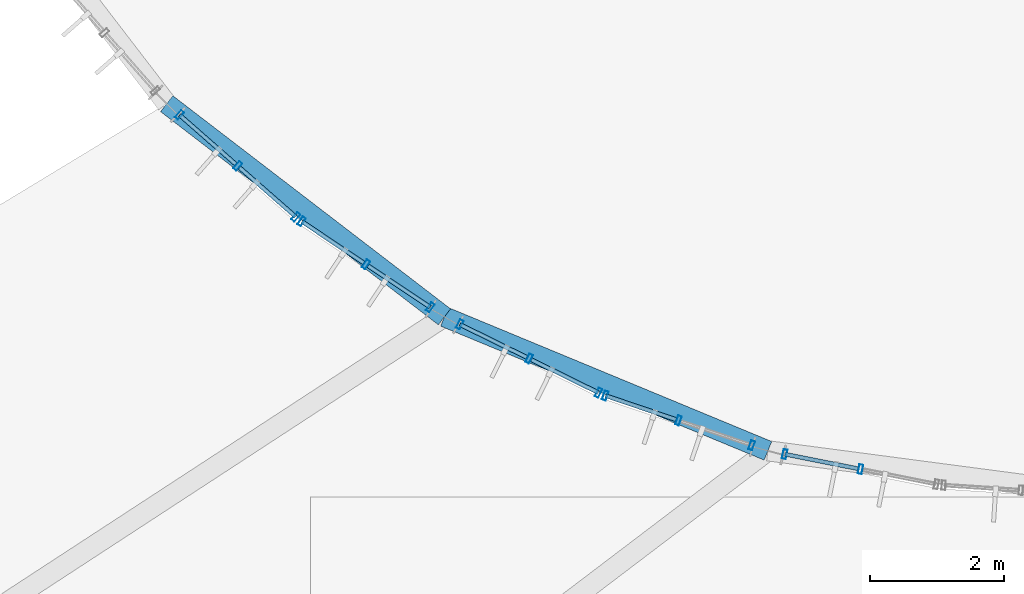
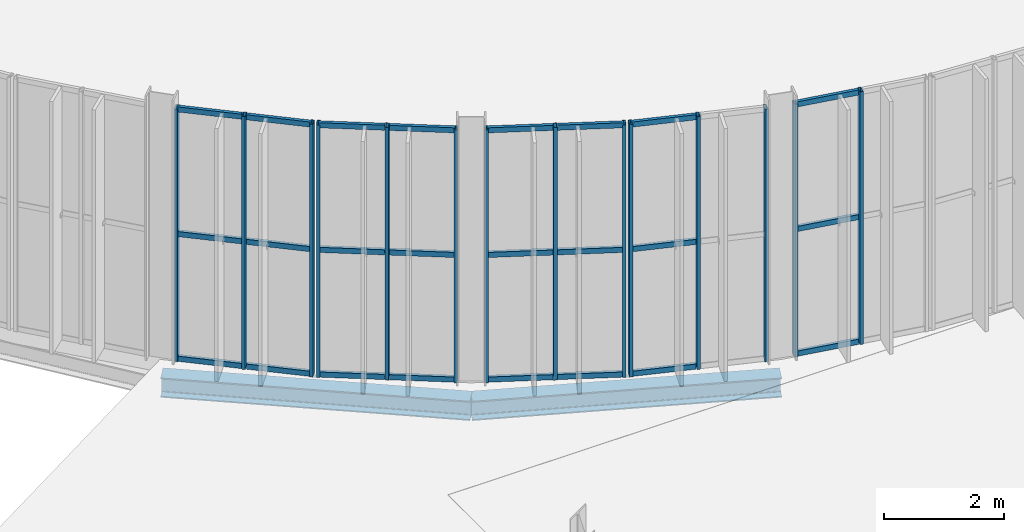
# One storey, part 32 of 158: 38 members, 2 beams, 5 elements without a shape of their own.
"""IFC4 building model written with IfcOpenShell, lengths in metres."""

from ifc_helpers import new_model, si_unit, derived_unit, direction, frame, origin, origin_2d, place, context, subcontext, project, spatial, hollow_rectangle, i_section, extrude, material, material_profile, profile_set, type_object, element, aggregate, save


model = new_model("IFC4")

# Units and contexts
model_context = context("Model", 3, precision=1e-05, world=origin(), true_north=direction((0.0, 1.0)))
body_context = subcontext(model_context, "Body", "Model", "MODEL_VIEW")
ifc_project = project(units=[si_unit("LENGTHUNIT", "METRE"), si_unit("AREAUNIT", "SQUARE_METRE"), si_unit("VOLUMEUNIT", "CUBIC_METRE"), si_unit("PLANEANGLEUNIT", "RADIAN"), si_unit("MASSUNIT", "GRAM", prefix="KILO"), si_unit("THERMODYNAMICTEMPERATUREUNIT", "KELVIN"), si_unit("TIMEUNIT", "SECOND"), derived_unit("THERMALTRANSMITTANCEUNIT", [(si_unit("MASSUNIT", "GRAM", prefix="KILO"), 1), (si_unit("THERMODYNAMICTEMPERATUREUNIT", "KELVIN"), -1), (si_unit("TIMEUNIT", "SECOND"), -3)])], contexts=[model_context])

# Site, building, storey
site_placement = place(None, origin())
site = spatial("IfcSite", under=ifc_project, at=site_placement, CompositionType="ELEMENT")
building_placement = place(site_placement, origin())
building = spatial("IfcBuilding", under=site, at=building_placement, Name="Cambertide Market Hall", CompositionType="ELEMENT")
storey_placement = place(building_placement, origin())
storey = spatial("IfcBuildingStorey", under=building, at=storey_placement, Name="L01", CompositionType="ELEMENT", Elevation=0.0)

# Curtain wall, members
ifc_material_1 = material(Name="Marine Anodized Aluminium 6063-T6 AA25", Category="aluminium")
curtain_wall_type = type_object("IfcCurtainWallType", Name="Lantern Apse Chord Lower Curtain Wall", PredefinedType="USERDEFINED", material=ifc_material_1)
curtain_wall_1_placement = place(storey_placement, origin())
curtain_wall_1 = element("IfcCurtainWall", 1, at=curtain_wall_1_placement, inside=storey, type_object=curtain_wall_type, Name="Level 1 Curtain Wall CW-V1AW-L01-19", ObjectType="UNITIZED CURTAIN WALL", PredefinedType="USERDEFINED")
ifc_material_2 = material(Name="Champagne Marine Anodized Aluminium 6063-T6 AA25", Category="aluminium")
ifc_material_profile_1 = material_profile(ifc_material_2, hollow_rectangle(XDim=0.06005859375, YDim=0.139892578125, WallThickness=0.00341796875, at=origin_2d()), Name="ALU MULLION 60x140")
ifc_profile_set_1 = profile_set([ifc_material_profile_1], Name="Champagne Marine Anodized Aluminium 6063-T6 AA25")
member_type_1 = type_object("IfcMemberType", Name="Curtain Wall Mullion ALU MULLION 60x140", PredefinedType="MULLION", material=ifc_profile_set_1)
member_1_placement = place(storey_placement, frame((29.783447265625, 56.169189453125, 0.0), z_axis=(0.0, 0.0, 1.0), x_axis=(-0.751839834741, 0.659345784014, 0.0)))
member_1 = element("IfcMember", 2, at=member_1_placement, type_object=member_type_1, Name="CW-V1AW-L01-19 Mullion 1", PredefinedType="MULLION", context=body_context, shape_type="SweptSolid", body=[
    extrude(hollow_rectangle(XDim=0.06005859375, YDim=0.139892578125, WallThickness=0.00341796875, at=origin_2d()), origin(), (0.0, 0.0, 1.0), 5.159912109375),
])
member_2_placement = place(storey_placement, frame((28.91650390625, 56.929443359375, 0.0), z_axis=(0.0, 0.0, 1.0), x_axis=(-0.751839834741, 0.659345784014, 0.0)))
member_2 = element("IfcMember", 3, at=member_2_placement, type_object=member_type_1, Name="CW-V1AW-L01-19 Mullion 2", PredefinedType="MULLION", context=body_context, shape_type="SweptSolid", body=[
    extrude(hollow_rectangle(XDim=0.06005859375, YDim=0.139892578125, WallThickness=0.00341796875, at=origin_2d()), origin(), (0.0, 0.0, 1.0), 5.159912109375),
])
member_3_placement = place(storey_placement, frame((28.049560546875, 57.689697265625, 0.0), z_axis=(0.0, 0.0, 1.0), x_axis=(-0.751839834741, 0.659345784014, 0.0)))
member_3 = element("IfcMember", 4, at=member_3_placement, type_object=member_type_1, Name="CW-V1AW-L01-19 Mullion 3", PredefinedType="MULLION", context=body_context, shape_type="SweptSolid", body=[
    extrude(hollow_rectangle(XDim=0.06005859375, YDim=0.139892578125, WallThickness=0.00341796875, at=origin_2d()), origin(), (0.0, 0.0, 1.0), 5.159912109375),
])

curtain_wall_2_placement = place(storey_placement, origin())
curtain_wall_2 = element("IfcCurtainWall", 5, at=curtain_wall_2_placement, inside=storey, type_object=curtain_wall_type, Name="Level 1 Curtain Wall CW-V1AW-L01-20", ObjectType="UNITIZED CURTAIN WALL", PredefinedType="USERDEFINED")
member_4_placement = place(storey_placement, frame((31.7880859375, 54.821044921875, 0.0), z_axis=(0.0, 0.0, 1.0), x_axis=(-0.831469709481, 0.555570087582, 0.0)))
member_4 = element("IfcMember", 6, at=member_4_placement, type_object=member_type_1, Name="CW-V1AW-L01-20 Mullion 1", PredefinedType="MULLION", context=body_context, shape_type="SweptSolid", body=[
    extrude(hollow_rectangle(XDim=0.06005859375, YDim=0.139892578125, WallThickness=0.00341796875, at=origin_2d()), origin(), (0.0, 0.0, 1.0), 5.159912109375),
])
member_5_placement = place(storey_placement, frame((30.829345703125, 55.461669921875, 0.0), z_axis=(0.0, 0.0, 1.0), x_axis=(-0.831469709481, 0.555570087582, 0.0)))
member_5 = element("IfcMember", 7, at=member_5_placement, type_object=member_type_1, Name="CW-V1AW-L01-20 Mullion 2", PredefinedType="MULLION", context=body_context, shape_type="SweptSolid", body=[
    extrude(hollow_rectangle(XDim=0.06005859375, YDim=0.139892578125, WallThickness=0.00341796875, at=origin_2d()), origin(), (0.0, 0.0, 1.0), 5.159912109375),
])
member_6_placement = place(storey_placement, frame((29.87060546875, 56.102294921875, 0.0), z_axis=(0.0, 0.0, 1.0), x_axis=(-0.831469709481, 0.555570087582, 0.0)))
member_6 = element("IfcMember", 8, at=member_6_placement, type_object=member_type_1, Name="CW-V1AW-L01-20 Mullion 3", PredefinedType="MULLION", context=body_context, shape_type="SweptSolid", body=[
    extrude(hollow_rectangle(XDim=0.06005859375, YDim=0.139892578125, WallThickness=0.00341796875, at=origin_2d()), origin(), (0.0, 0.0, 1.0), 5.159912109375),
])

curtain_wall_3_placement = place(storey_placement, origin())
curtain_wall_3 = element("IfcCurtainWall", 9, at=curtain_wall_3_placement, inside=storey, type_object=curtain_wall_type, Name="Level 1 Curtain Wall CW-V1AW-L01-21", ObjectType="UNITIZED CURTAIN WALL", PredefinedType="USERDEFINED")
member_7_placement = place(storey_placement, frame((34.297119140625, 53.546630859375, 0.0), z_axis=(0.0, 0.0, 1.0), x_axis=(-0.896872650645, 0.442288874522, 0.0)))
member_7 = element("IfcMember", 10, at=member_7_placement, type_object=member_type_1, Name="CW-V1AW-L01-21 Mullion 1", PredefinedType="MULLION", context=body_context, shape_type="SweptSolid", body=[
    extrude(hollow_rectangle(XDim=0.06005859375, YDim=0.139892578125, WallThickness=0.00341796875, at=origin_2d()), origin(), (0.0, 0.0, 1.0), 5.159912109375),
])
member_8_placement = place(storey_placement, frame((33.262939453125, 54.056640625, 0.0), z_axis=(0.0, 0.0, 1.0), x_axis=(-0.896872650645, 0.442288874522, 0.0)))
member_8 = element("IfcMember", 11, at=member_8_placement, type_object=member_type_1, Name="CW-V1AW-L01-21 Mullion 2", PredefinedType="MULLION", context=body_context, shape_type="SweptSolid", body=[
    extrude(hollow_rectangle(XDim=0.06005859375, YDim=0.139892578125, WallThickness=0.00341796875, at=origin_2d()), origin(), (0.0, 0.0, 1.0), 5.159912109375),
])
member_9_placement = place(storey_placement, frame((32.228759765625, 54.566650390625, 0.0), z_axis=(0.0, 0.0, 1.0), x_axis=(-0.896872650645, 0.442288874522, 0.0)))
member_9 = element("IfcMember", 12, at=member_9_placement, type_object=member_type_1, Name="CW-V1AW-L01-21 Mullion 3", PredefinedType="MULLION", context=body_context, shape_type="SweptSolid", body=[
    extrude(hollow_rectangle(XDim=0.06005859375, YDim=0.139892578125, WallThickness=0.00341796875, at=origin_2d()), origin(), (0.0, 0.0, 1.0), 5.159912109375),
])

curtain_wall_4_placement = place(storey_placement, origin())
curtain_wall_4 = element("IfcCurtainWall", 13, at=curtain_wall_4_placement, inside=storey, type_object=curtain_wall_type, Name="Level 1 Curtain Wall CW-V1AW-L01-22", ObjectType="UNITIZED CURTAIN WALL", PredefinedType="USERDEFINED")
member_10_placement = place(storey_placement, frame((36.58203125, 52.763427734375, 0.0), z_axis=(0.0, 0.0, 1.0), x_axis=(-0.94693012508, 0.32143947831, 0.0)))
member_10 = element("IfcMember", 14, at=member_10_placement, type_object=member_type_1, Name="CW-V1AW-L01-22 Mullion 1", PredefinedType="MULLION", context=body_context, shape_type="SweptSolid", body=[
    extrude(hollow_rectangle(XDim=0.06005859375, YDim=0.139892578125, WallThickness=0.00341796875, at=origin_2d()), origin(), (0.0, 0.0, 1.0), 5.159912109375),
])
member_11_placement = place(storey_placement, frame((35.490234375, 53.134033203125, 0.0), z_axis=(0.0, 0.0, 1.0), x_axis=(-0.94693012508, 0.32143947831, 0.0)))
member_11 = element("IfcMember", 15, at=member_11_placement, type_object=member_type_1, Name="CW-V1AW-L01-22 Mullion 2", PredefinedType="MULLION", context=body_context, shape_type="SweptSolid", body=[
    extrude(hollow_rectangle(XDim=0.06005859375, YDim=0.139892578125, WallThickness=0.00341796875, at=origin_2d()), origin(), (0.0, 0.0, 1.0), 5.159912109375),
])
member_12_placement = place(storey_placement, frame((34.3984375, 53.504638671875, 0.0), z_axis=(0.0, 0.0, 1.0), x_axis=(-0.94693012508, 0.32143947831, 0.0)))
member_12 = element("IfcMember", 16, at=member_12_placement, type_object=member_type_1, Name="CW-V1AW-L01-22 Mullion 3", PredefinedType="MULLION", context=body_context, shape_type="SweptSolid", body=[
    extrude(hollow_rectangle(XDim=0.06005859375, YDim=0.139892578125, WallThickness=0.00341796875, at=origin_2d()), origin(), (0.0, 0.0, 1.0), 5.159912109375),
])

curtain_wall_5_placement = place(storey_placement, origin())
curtain_wall_5 = element("IfcCurtainWall", 17, at=curtain_wall_5_placement, inside=storey, type_object=curtain_wall_type, Name="Level 1 Curtain Wall CW-V1AW-L01-23", ObjectType="UNITIZED CURTAIN WALL", PredefinedType="USERDEFINED")
member_13_placement = place(storey_placement, frame((38.20458984375, 52.40673828125, 0.0), z_axis=(0.0, 0.0, 1.0), x_axis=(-0.980785330885, 0.195090068226, 0.0)))
member_13 = element("IfcMember", 18, at=member_13_placement, type_object=member_type_1, Name="CW-V1AW-L01-23 Mullion 2", PredefinedType="MULLION", context=body_context, shape_type="SweptSolid", body=[
    extrude(hollow_rectangle(XDim=0.06005859375, YDim=0.139892578125, WallThickness=0.00341796875, at=origin_2d()), origin(), (0.0, 0.0, 1.0), 5.159912109375),
])
member_14_placement = place(storey_placement, frame((37.07373046875, 52.6318359375, 0.0), z_axis=(0.0, 0.0, 1.0), x_axis=(-0.980785330885, 0.195090068226, 0.0)))
member_14 = element("IfcMember", 19, at=member_14_placement, type_object=member_type_1, Name="CW-V1AW-L01-23 Mullion 3", PredefinedType="MULLION", context=body_context, shape_type="SweptSolid", body=[
    extrude(hollow_rectangle(XDim=0.06005859375, YDim=0.139892578125, WallThickness=0.00341796875, at=origin_2d()), origin(), (0.0, 0.0, 1.0), 5.159912109375),
])

# Member
ifc_material_3 = material(Name="Champagne Marine Anodized Aluminium 6063-T6 AA25", Category="aluminium")
ifc_material_profile_2 = material_profile(ifc_material_3, hollow_rectangle(XDim=0.06005859375, YDim=0.10498046875, WallThickness=0.0029296875, at=origin_2d()), Name="ALU TRANSOM 60x105")
ifc_profile_set_2 = profile_set([ifc_material_profile_2], Name="Champagne Marine Anodized Aluminium 6063-T6 AA25")
member_type_2 = type_object("IfcMemberType", Name="Curtain Wall Transom ALU TRANSOM 60x105", PredefinedType="USERDEFINED", material=ifc_profile_set_2)
member_15_placement = place(storey_placement, frame((29.779541015625, 56.172607421875, 0.034912109375), z_axis=(-0.751866427049, 0.659315460062, 0.0), x_axis=(-0.659315460062, -0.751866427049, 0.0)))
member_15 = element("IfcMember", 20, at=member_15_placement, type_object=member_type_2, Name="CW-V1AW-L01-19 Transom 1-1", ObjectType="TRANSOM", PredefinedType="USERDEFINED", context=body_context, shape_type="SweptSolid", body=[
    extrude(hollow_rectangle(XDim=0.06005859375, YDim=0.10498046875, WallThickness=0.0029296875, at=origin_2d()), origin(), (0.0, 0.0, 1.0), 1.10791015625),
])

member_16_placement = place(storey_placement, frame((28.886474609375, 56.955810546875, 0.034912109375), z_axis=(-0.751852984677, 0.659330789082, 0.0), x_axis=(-0.659330789082, -0.751852984677, 0.0)))
member_16 = element("IfcMember", 21, at=member_16_placement, type_object=member_type_2, Name="CW-V1AW-L01-19 Transom 1-2", ObjectType="TRANSOM", PredefinedType="USERDEFINED", context=body_context, shape_type="SweptSolid", body=[
    extrude(hollow_rectangle(XDim=0.06005859375, YDim=0.10498046875, WallThickness=0.0029296875, at=origin_2d()), origin(), (0.0, 0.0, 1.0), 1.108154296875),
])

member_17_placement = place(storey_placement, frame((29.779541015625, 56.172607421875, 2.580078125), z_axis=(-0.751866427049, 0.659315460062, 0.0), x_axis=(-0.659315460062, -0.751866427049, 0.0)))
member_17 = element("IfcMember", 22, at=member_17_placement, type_object=member_type_2, Name="CW-V1AW-L01-19 Transom 2-1", ObjectType="TRANSOM", PredefinedType="USERDEFINED", context=body_context, shape_type="SweptSolid", body=[
    extrude(hollow_rectangle(XDim=0.06005859375, YDim=0.10498046875, WallThickness=0.0029296875, at=origin_2d()), origin(), (0.0, 0.0, 1.0), 1.10791015625),
])

member_18_placement = place(storey_placement, frame((28.886474609375, 56.955810546875, 2.580078125), z_axis=(-0.751852984677, 0.659330789082, 0.0), x_axis=(-0.659330789082, -0.751852984677, 0.0)))
member_18 = element("IfcMember", 23, at=member_18_placement, type_object=member_type_2, Name="CW-V1AW-L01-19 Transom 2-2", ObjectType="TRANSOM", PredefinedType="USERDEFINED", context=body_context, shape_type="SweptSolid", body=[
    extrude(hollow_rectangle(XDim=0.06005859375, YDim=0.10498046875, WallThickness=0.0029296875, at=origin_2d()), origin(), (0.0, 0.0, 1.0), 1.108154296875),
])

member_19_placement = place(storey_placement, frame((29.779541015625, 56.172607421875, 5.125), z_axis=(-0.751866427049, 0.659315460062, 0.0), x_axis=(-0.659315460062, -0.751866427049, 0.0)))
member_19 = element("IfcMember", 24, at=member_19_placement, type_object=member_type_2, Name="CW-V1AW-L01-19 Transom 3-1", ObjectType="TRANSOM", PredefinedType="USERDEFINED", context=body_context, shape_type="SweptSolid", body=[
    extrude(hollow_rectangle(XDim=0.06005859375, YDim=0.10498046875, WallThickness=0.0029296875, at=origin_2d()), origin(), (0.0, 0.0, 1.0), 1.10791015625),
])

member_20_placement = place(storey_placement, frame((28.886474609375, 56.955810546875, 5.125), z_axis=(-0.751852984677, 0.659330789082, 0.0), x_axis=(-0.659330789082, -0.751852984677, 0.0)))
member_20 = element("IfcMember", 25, at=member_20_placement, type_object=member_type_2, Name="CW-V1AW-L01-19 Transom 3-2", ObjectType="TRANSOM", PredefinedType="USERDEFINED", context=body_context, shape_type="SweptSolid", body=[
    extrude(hollow_rectangle(XDim=0.06005859375, YDim=0.10498046875, WallThickness=0.0029296875, at=origin_2d()), origin(), (0.0, 0.0, 1.0), 1.108154296875),
])

aggregate(curtain_wall_1, [member_1, member_2, member_3, member_15, member_16, member_17, member_18, member_19, member_20])

member_21_placement = place(storey_placement, frame((31.783935546875, 54.823974609375, 0.034912109375), z_axis=(-0.83154148111, 0.555462658685, 0.0), x_axis=(-0.555462658685, -0.83154148111, 0.0)))
member_21 = element("IfcMember", 26, at=member_21_placement, type_object=member_type_2, Name="CW-V1AW-L01-20 Transom 1-1", ObjectType="TRANSOM", PredefinedType="USERDEFINED", context=body_context, shape_type="SweptSolid", body=[
    extrude(hollow_rectangle(XDim=0.06005859375, YDim=0.10498046875, WallThickness=0.0029296875, at=origin_2d()), origin(), (0.0, 0.0, 1.0), 1.108154296875),
])

member_22_placement = place(storey_placement, frame((30.7958984375, 55.48388671875, 0.034912109375), z_axis=(-0.831371680054, 0.55571677103, 0.0), x_axis=(-0.55571677103, -0.831371680054, 0.0)))
member_22 = element("IfcMember", 27, at=member_22_placement, type_object=member_type_2, Name="CW-V1AW-L01-20 Transom 1-2", ObjectType="TRANSOM", PredefinedType="USERDEFINED", context=body_context, shape_type="SweptSolid", body=[
    extrude(hollow_rectangle(XDim=0.06005859375, YDim=0.10498046875, WallThickness=0.0029296875, at=origin_2d()), origin(), (0.0, 0.0, 1.0), 1.10791015625),
])

member_23_placement = place(storey_placement, frame((31.783935546875, 54.823974609375, 2.580078125), z_axis=(-0.83154148111, 0.555462658685, 0.0), x_axis=(-0.555462658685, -0.83154148111, 0.0)))
member_23 = element("IfcMember", 28, at=member_23_placement, type_object=member_type_2, Name="CW-V1AW-L01-20 Transom 2-1", ObjectType="TRANSOM", PredefinedType="USERDEFINED", context=body_context, shape_type="SweptSolid", body=[
    extrude(hollow_rectangle(XDim=0.06005859375, YDim=0.10498046875, WallThickness=0.0029296875, at=origin_2d()), origin(), (0.0, 0.0, 1.0), 1.108154296875),
])

member_24_placement = place(storey_placement, frame((30.7958984375, 55.48388671875, 2.580078125), z_axis=(-0.831371680054, 0.55571677103, 0.0), x_axis=(-0.55571677103, -0.831371680054, 0.0)))
member_24 = element("IfcMember", 29, at=member_24_placement, type_object=member_type_2, Name="CW-V1AW-L01-20 Transom 2-2", ObjectType="TRANSOM", PredefinedType="USERDEFINED", context=body_context, shape_type="SweptSolid", body=[
    extrude(hollow_rectangle(XDim=0.06005859375, YDim=0.10498046875, WallThickness=0.0029296875, at=origin_2d()), origin(), (0.0, 0.0, 1.0), 1.10791015625),
])

member_25_placement = place(storey_placement, frame((31.783935546875, 54.823974609375, 5.125), z_axis=(-0.83154148111, 0.555462658685, 0.0), x_axis=(-0.555462658685, -0.83154148111, 0.0)))
member_25 = element("IfcMember", 30, at=member_25_placement, type_object=member_type_2, Name="CW-V1AW-L01-20 Transom 3-1", ObjectType="TRANSOM", PredefinedType="USERDEFINED", context=body_context, shape_type="SweptSolid", body=[
    extrude(hollow_rectangle(XDim=0.06005859375, YDim=0.10498046875, WallThickness=0.0029296875, at=origin_2d()), origin(), (0.0, 0.0, 1.0), 1.108154296875),
])

member_26_placement = place(storey_placement, frame((30.7958984375, 55.48388671875, 5.125), z_axis=(-0.831371680054, 0.55571677103, 0.0), x_axis=(-0.55571677103, -0.831371680054, 0.0)))
member_26 = element("IfcMember", 31, at=member_26_placement, type_object=member_type_2, Name="CW-V1AW-L01-20 Transom 3-2", ObjectType="TRANSOM", PredefinedType="USERDEFINED", context=body_context, shape_type="SweptSolid", body=[
    extrude(hollow_rectangle(XDim=0.06005859375, YDim=0.10498046875, WallThickness=0.0029296875, at=origin_2d()), origin(), (0.0, 0.0, 1.0), 1.10791015625),
])

aggregate(curtain_wall_2, [member_4, member_5, member_6, member_21, member_22, member_23, member_24, member_25, member_26])

member_27_placement = place(storey_placement, frame((34.29248046875, 53.548828125, 0.034912109375), z_axis=(-0.896794227794, 0.44244786472, 0.0), x_axis=(-0.44244786472, -0.896794227794, 0.0)))
member_27 = element("IfcMember", 32, at=member_27_placement, type_object=member_type_2, Name="CW-V1AW-L01-21 Transom 1-1", ObjectType="TRANSOM", PredefinedType="USERDEFINED", context=body_context, shape_type="SweptSolid", body=[
    extrude(hollow_rectangle(XDim=0.06005859375, YDim=0.10498046875, WallThickness=0.0029296875, at=origin_2d()), origin(), (0.0, 0.0, 1.0), 1.10791015625),
])

member_28_placement = place(storey_placement, frame((33.22705078125, 54.074462890625, 0.034912109375), z_axis=(-0.896924738521, 0.442183235129, 0.0), x_axis=(-0.442183235129, -0.896924738521, 0.0)))
member_28 = element("IfcMember", 33, at=member_28_placement, type_object=member_type_2, Name="CW-V1AW-L01-21 Transom 1-2", ObjectType="TRANSOM", PredefinedType="USERDEFINED", context=body_context, shape_type="SweptSolid", body=[
    extrude(hollow_rectangle(XDim=0.06005859375, YDim=0.10498046875, WallThickness=0.0029296875, at=origin_2d()), origin(), (0.0, 0.0, 1.0), 1.108154296875),
])

member_29_placement = place(storey_placement, frame((34.29248046875, 53.548828125, 2.580078125), z_axis=(-0.896794227794, 0.44244786472, 0.0), x_axis=(-0.44244786472, -0.896794227794, 0.0)))
member_29 = element("IfcMember", 34, at=member_29_placement, type_object=member_type_2, Name="CW-V1AW-L01-21 Transom 2-1", ObjectType="TRANSOM", PredefinedType="USERDEFINED", context=body_context, shape_type="SweptSolid", body=[
    extrude(hollow_rectangle(XDim=0.06005859375, YDim=0.10498046875, WallThickness=0.0029296875, at=origin_2d()), origin(), (0.0, 0.0, 1.0), 1.10791015625),
])

member_30_placement = place(storey_placement, frame((33.22705078125, 54.074462890625, 2.580078125), z_axis=(-0.896924738521, 0.442183235129, 0.0), x_axis=(-0.442183235129, -0.896924738521, 0.0)))
member_30 = element("IfcMember", 35, at=member_30_placement, type_object=member_type_2, Name="CW-V1AW-L01-21 Transom 2-2", ObjectType="TRANSOM", PredefinedType="USERDEFINED", context=body_context, shape_type="SweptSolid", body=[
    extrude(hollow_rectangle(XDim=0.06005859375, YDim=0.10498046875, WallThickness=0.0029296875, at=origin_2d()), origin(), (0.0, 0.0, 1.0), 1.108154296875),
])

member_31_placement = place(storey_placement, frame((34.29248046875, 53.548828125, 5.125), z_axis=(-0.896794227794, 0.44244786472, 0.0), x_axis=(-0.44244786472, -0.896794227794, 0.0)))
member_31 = element("IfcMember", 36, at=member_31_placement, type_object=member_type_2, Name="CW-V1AW-L01-21 Transom 3-1", ObjectType="TRANSOM", PredefinedType="USERDEFINED", context=body_context, shape_type="SweptSolid", body=[
    extrude(hollow_rectangle(XDim=0.06005859375, YDim=0.10498046875, WallThickness=0.0029296875, at=origin_2d()), origin(), (0.0, 0.0, 1.0), 1.10791015625),
])

member_32_placement = place(storey_placement, frame((33.22705078125, 54.074462890625, 5.125), z_axis=(-0.896924738521, 0.442183235129, 0.0), x_axis=(-0.442183235129, -0.896924738521, 0.0)))
member_32 = element("IfcMember", 37, at=member_32_placement, type_object=member_type_2, Name="CW-V1AW-L01-21 Transom 3-2", ObjectType="TRANSOM", PredefinedType="USERDEFINED", context=body_context, shape_type="SweptSolid", body=[
    extrude(hollow_rectangle(XDim=0.06005859375, YDim=0.10498046875, WallThickness=0.0029296875, at=origin_2d()), origin(), (0.0, 0.0, 1.0), 1.108154296875),
])

aggregate(curtain_wall_3, [member_7, member_8, member_9, member_27, member_28, member_29, member_30, member_31, member_32])

member_33_placement = place(storey_placement, frame((35.452392578125, 53.14697265625, 0.034912109375), z_axis=(-0.946928413037, 0.321444521782, 0.0), x_axis=(-0.321444521782, -0.946928413037, 0.0)))
member_33 = element("IfcMember", 38, at=member_33_placement, type_object=member_type_2, Name="CW-V1AW-L01-22 Transom 1-2", ObjectType="TRANSOM", PredefinedType="USERDEFINED", context=body_context, shape_type="SweptSolid", body=[
    extrude(hollow_rectangle(XDim=0.06005859375, YDim=0.10498046875, WallThickness=0.0029296875, at=origin_2d()), origin(), (0.0, 0.0, 1.0), 1.108154296875),
])

member_34_placement = place(storey_placement, frame((35.452392578125, 53.14697265625, 2.580078125), z_axis=(-0.946928413037, 0.321444521782, 0.0), x_axis=(-0.321444521782, -0.946928413037, 0.0)))
member_34 = element("IfcMember", 39, at=member_34_placement, type_object=member_type_2, Name="CW-V1AW-L01-22 Transom 2-2", ObjectType="TRANSOM", PredefinedType="USERDEFINED", context=body_context, shape_type="SweptSolid", body=[
    extrude(hollow_rectangle(XDim=0.06005859375, YDim=0.10498046875, WallThickness=0.0029296875, at=origin_2d()), origin(), (0.0, 0.0, 1.0), 1.108154296875),
])

member_35_placement = place(storey_placement, frame((35.452392578125, 53.14697265625, 5.125), z_axis=(-0.946928413037, 0.321444521782, 0.0), x_axis=(-0.321444521782, -0.946928413037, 0.0)))
member_35 = element("IfcMember", 40, at=member_35_placement, type_object=member_type_2, Name="CW-V1AW-L01-22 Transom 3-2", ObjectType="TRANSOM", PredefinedType="USERDEFINED", context=body_context, shape_type="SweptSolid", body=[
    extrude(hollow_rectangle(XDim=0.06005859375, YDim=0.10498046875, WallThickness=0.0029296875, at=origin_2d()), origin(), (0.0, 0.0, 1.0), 1.108154296875),
])

aggregate(curtain_wall_4, [member_10, member_11, member_12, member_33, member_34, member_35])

member_36_placement = place(storey_placement, frame((38.165283203125, 52.41455078125, 0.034912109375), z_axis=(-0.980758243369, 0.195226197175, 0.0), x_axis=(-0.195226197175, -0.980758243369, 0.0)))
member_36 = element("IfcMember", 41, at=member_36_placement, type_object=member_type_2, Name="CW-V1AW-L01-23 Transom 1-2", ObjectType="TRANSOM", PredefinedType="USERDEFINED", context=body_context, shape_type="SweptSolid", body=[
    extrude(hollow_rectangle(XDim=0.06005859375, YDim=0.10498046875, WallThickness=0.0029296875, at=origin_2d()), origin(), (0.0, 0.0, 1.0), 1.10791015625),
])

member_37_placement = place(storey_placement, frame((38.165283203125, 52.41455078125, 2.580078125), z_axis=(-0.980758243369, 0.195226197175, 0.0), x_axis=(-0.195226197175, -0.980758243369, 0.0)))
member_37 = element("IfcMember", 42, at=member_37_placement, type_object=member_type_2, Name="CW-V1AW-L01-23 Transom 2-2", ObjectType="TRANSOM", PredefinedType="USERDEFINED", context=body_context, shape_type="SweptSolid", body=[
    extrude(hollow_rectangle(XDim=0.06005859375, YDim=0.10498046875, WallThickness=0.0029296875, at=origin_2d()), origin(), (0.0, 0.0, 1.0), 1.10791015625),
])

member_38_placement = place(storey_placement, frame((38.165283203125, 52.41455078125, 5.125), z_axis=(-0.980758243369, 0.195226197175, 0.0), x_axis=(-0.195226197175, -0.980758243369, 0.0)))
member_38 = element("IfcMember", 43, at=member_38_placement, type_object=member_type_2, Name="CW-V1AW-L01-23 Transom 3-2", ObjectType="TRANSOM", PredefinedType="USERDEFINED", context=body_context, shape_type="SweptSolid", body=[
    extrude(hollow_rectangle(XDim=0.06005859375, YDim=0.10498046875, WallThickness=0.0029296875, at=origin_2d()), origin(), (0.0, 0.0, 1.0), 1.10791015625),
])

aggregate(curtain_wall_5, [member_13, member_14, member_36, member_37, member_38])

# Beams
ifc_material_4 = material(Name="Steel S355", Category="steel")
ifc_material_profile_3 = material_profile(ifc_material_4, i_section(OverallWidth=0.300048828125, OverallDepth=0.39990234375, WebThickness=0.013427734375, FlangeThickness=0.02392578125, FilletRadius=0.027099609375, at=origin_2d()), Name="HEB 400")
ifc_profile_set_3 = profile_set([ifc_material_profile_3], Name="Steel S355")
beam_type = type_object("IfcBeamType", Name="Steel Girder HEB 400", PredefinedType="BEAM", material=ifc_profile_set_3)
beam_1_placement = place(storey_placement, frame((27.85791015625, 57.85791015625, -0.510009765625), z_axis=(0.793341363525, -0.608777037117, 0.0), x_axis=(0.608777037117, 0.793341363525, 0.0)))
element("IfcBeam", 44, at=beam_1_placement, inside=storey, type_object=beam_type, Name="Level 1 Beam BM-V1AW-L01-10", PredefinedType="BEAM", context=body_context, shape_type="SweptSolid", body=[
    extrude(i_section(OverallWidth=0.300048828125, OverallDepth=0.39990234375, WebThickness=0.013427734375, FlangeThickness=0.02392578125, FilletRadius=0.027099609375, at=origin_2d()), origin(), (0.0, 0.0, 1.0), 5.220947265625),
])
beam_2_placement = place(storey_placement, frame((32.0, 54.679443359375, -0.510009765625), z_axis=(0.923880054352, -0.382682172528, 0.0), x_axis=(0.382682172528, 0.923880054352, 0.0)))
element("IfcBeam", 45, at=beam_2_placement, inside=storey, type_object=beam_type, Name="Level 1 Beam BM-V1AW-L01-11", PredefinedType="BEAM", context=body_context, shape_type="SweptSolid", body=[
    extrude(i_section(OverallWidth=0.300048828125, OverallDepth=0.39990234375, WebThickness=0.013427734375, FlangeThickness=0.02392578125, FilletRadius=0.027099609375, at=origin_2d()), origin(), (0.0, 0.0, 1.0), 5.22119140625),
])

save(model, "model.ifc")
